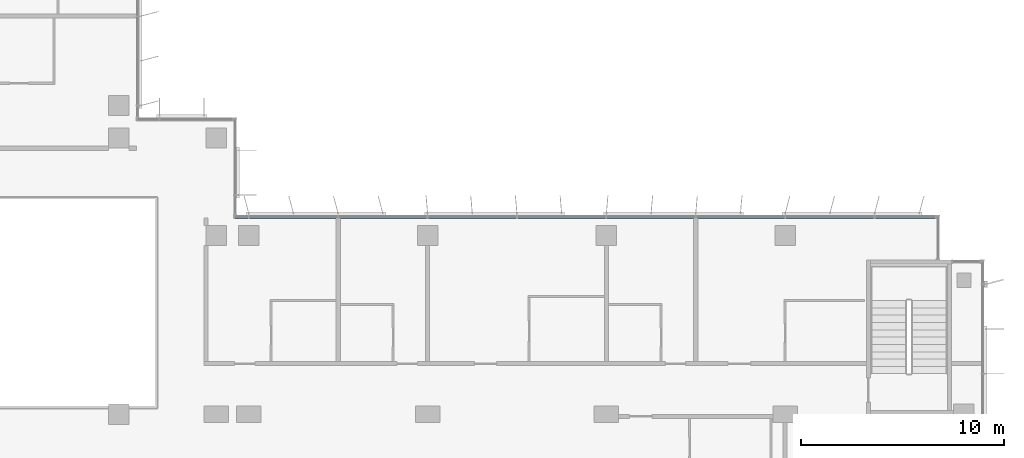
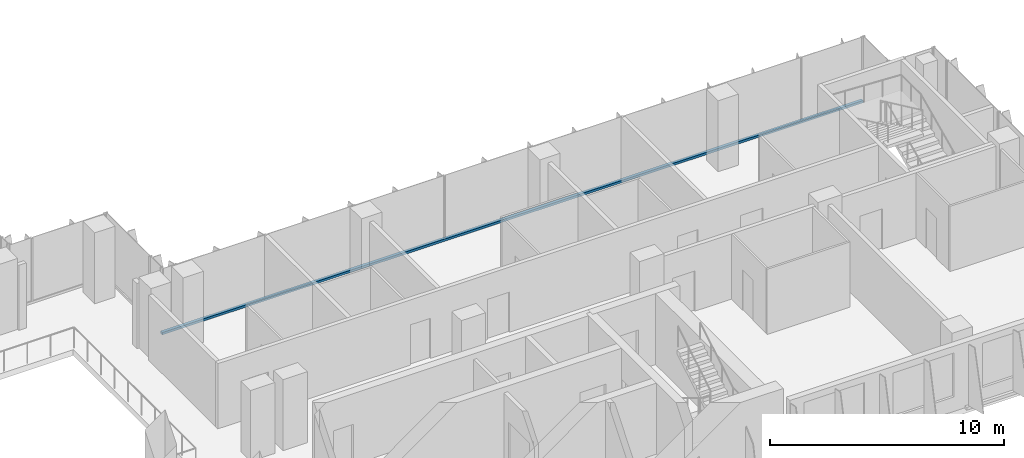
# One storey, part 3 of 20: 1 member, 1 element without a shape of its own.
"""IFC4 building model written with IfcOpenShell, lengths in metres."""

from ifc_helpers import new_model, si_unit, direction, frame, origin, origin_2d, place, context, subcontext, project, spatial, rectangle, extrude, material, material_profile, profile_set, type_object, element, aggregate, save


model = new_model("IFC4")

# Units and contexts
model_context = context("Model", 3, precision=1e-05, world=origin(), true_north=direction((0.0, 1.0)))
body_context = subcontext(model_context, "Body", "Model", "MODEL_VIEW")
ifc_project = project(units=[si_unit("LENGTHUNIT", "METRE"), si_unit("AREAUNIT", "SQUARE_METRE"), si_unit("VOLUMEUNIT", "CUBIC_METRE"), si_unit("PLANEANGLEUNIT", "RADIAN"), si_unit("MASSUNIT", "GRAM", prefix="KILO")], contexts=[model_context])

# Site, building, storey
site_placement = place(None, origin())
site = spatial("IfcSite", under=ifc_project, at=site_placement, CompositionType="ELEMENT")
building_placement = place(site_placement, origin())
building = spatial("IfcBuilding", under=site, at=building_placement, Name="Kemantara Hotel Tower", CompositionType="ELEMENT")
storey_placement = place(building_placement, frame((0.0, 0.0, 186.39990234375)))
storey = spatial("IfcBuildingStorey", under=building, at=storey_placement, Name="L46", CompositionType="ELEMENT", Elevation=186.39990234375)

# Curtain wall, member
ifc_material_1 = material(Name="Low-E tinted double insulated glass 36 mm", Category="glass")
curtain_wall_type = type_object("IfcCurtainWallType", Name="TOWER CURTAIN WALL, FRONT FACES", PredefinedType="USERDEFINED", material=ifc_material_1)
curtain_wall_placement = place(storey_placement, origin())
curtain_wall = element("IfcCurtainWall", 1, at=curtain_wall_placement, inside=storey, type_object=curtain_wall_type, Name="CW4 L46 T3-R14-1", ObjectType="TOWER CURTAIN WALL, FRONT FACES", PredefinedType="USERDEFINED")
ifc_material_2 = material(Name="Aluminium 6063-T6 bronze anodised", Category="aluminium")
ifc_material_profile = material_profile(ifc_material_2, rectangle(XDim=0.14990234375, YDim=0.1201171875, at=origin_2d()), Name="TOWER CURTAIN WALL, FRONT FACES TRANSOM")
ifc_profile_set = profile_set([ifc_material_profile], Name="Aluminium 6063-T6 bronze anodised")
member_type = type_object("IfcMemberType", Name="TOWER CURTAIN WALL, FRONT FACES TRANSOM", PredefinedType="USERDEFINED", material=ifc_profile_set)
member_placement = place(storey_placement, frame((61.25, 21.925048828125, 0.06005859375), z_axis=(-1.0, 0.0, 0.0), x_axis=(0.0, -1.0, 0.0)))
member = element("IfcMember", 2, at=member_placement, type_object=member_type, Name="CW4 sill transom T3-R14-1", ObjectType="TRANSOM", PredefinedType="USERDEFINED", context=body_context, shape_type="SweptSolid", body=[
    extrude(rectangle(XDim=0.14990234375, YDim=0.1201171875, at=origin_2d()), origin(), (0.0, 0.0, 1.0), 34.60009765625),
])
aggregate(curtain_wall, [member])

save(model, "model.ifc")
